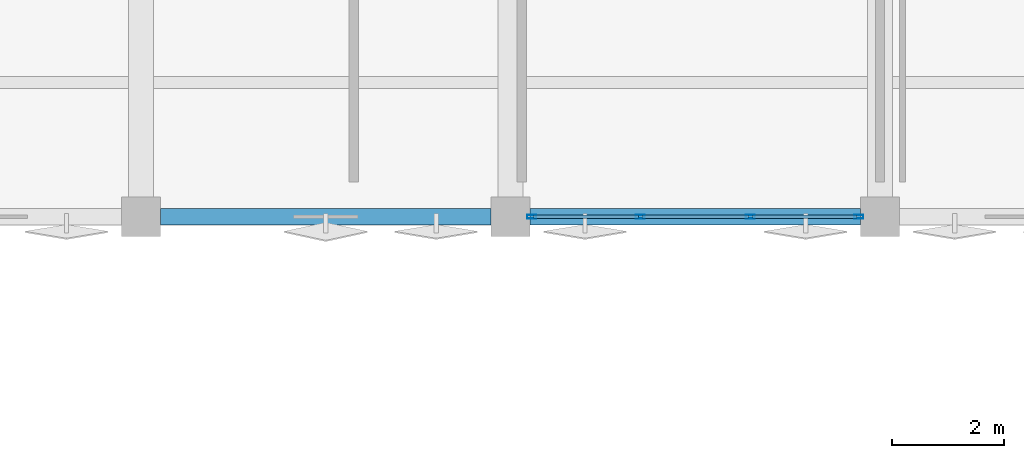
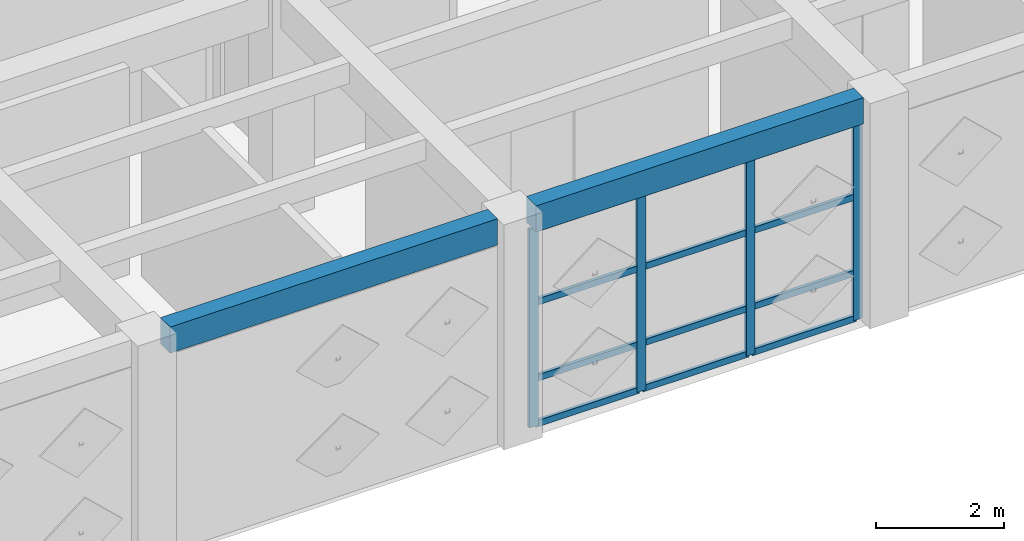
# One storey, part 45 of 80: 16 members, 2 beams, 1 element without a shape of its own.
"""IFC4 building model written with IfcOpenShell, lengths in metres."""

from ifc_helpers import new_model, si_unit, direction, frame, origin, origin_2d, place, context, subcontext, project, spatial, rectangle, hollow_rectangle, extrude, material, layer, layer_set, material_profile, profile_set, type_object, element, aggregate, save


model = new_model("IFC4")

# Units and contexts
model_context = context("Model", 3, precision=1e-05, world=origin(), true_north=direction((0.0, 1.0)))
body_context = subcontext(model_context, "Body", "Model", "MODEL_VIEW")
ifc_project = project(units=[si_unit("LENGTHUNIT", "METRE"), si_unit("AREAUNIT", "SQUARE_METRE"), si_unit("VOLUMEUNIT", "CUBIC_METRE"), si_unit("PLANEANGLEUNIT", "RADIAN"), si_unit("MASSUNIT", "GRAM", prefix="KILO")], contexts=[model_context])

# Site, building, storey
site_placement = place(None, origin())
site = spatial("IfcSite", under=ifc_project, at=site_placement, CompositionType="ELEMENT")
building_placement = place(site_placement, origin())
building = spatial("IfcBuilding", under=site, at=building_placement, Name="Kharisveld Research Institute", CompositionType="ELEMENT")
storey_placement = place(building_placement, frame((0.0, 0.0, 5.10009765625)))
storey = spatial("IfcBuildingStorey", under=building, at=storey_placement, Name="L01", CompositionType="ELEMENT", Elevation=5.10009765625)

# Curtain wall, members
ifc_material_1 = material(Name="Thermally Broken Aluminium Curtain Wall", Category="aluminium")
ifc_layer = layer(ifc_material_1, 0.159912109375)
ifc_layer_set = layer_set([ifc_layer], Name="CW_SYS_05")
curtain_wall_type = type_object("IfcCurtainWallType", Name="CW_SYS_05", PredefinedType="NOTDEFINED", material=ifc_layer_set)
curtain_wall_placement = place(storey_placement, origin())
curtain_wall = element("IfcCurtainWall", 1, at=curtain_wall_placement, inside=storey, type_object=curtain_wall_type, Name="CW:V2:L01:S4", PredefinedType="NOTDEFINED")
ifc_material_2 = material(Name="Anodised Aluminium AW-6063-T6", Category="aluminium")
ifc_material_profile_1 = material_profile(ifc_material_2, hollow_rectangle(XDim=0.06494140625, YDim=0.159912109375, WallThickness=0.00390625, at=origin_2d()))
ifc_profile_set_1 = profile_set([ifc_material_profile_1], Name="Anodised Aluminium AW-6063-T6")
member_type_1 = type_object("IfcMemberType", Name="CW_MUL_160", PredefinedType="MULLION", material=ifc_profile_set_1)
member_1_placement = place(storey_placement, frame((140.62255859375, 39.199951171875, 0.0), z_axis=(0.0, 0.0, 1.0), x_axis=(0.0, -1.0, 0.0)))
member_1 = element("IfcMember", 2, at=member_1_placement, type_object=member_type_1, Name="CW-05 mullion 1", PredefinedType="MULLION", context=body_context, shape_type="SweptSolid", body=[
    extrude(hollow_rectangle(XDim=0.06494140625, YDim=0.159912109375, WallThickness=0.00390625, at=origin_2d()), origin(), (0.0, 0.0, 1.0), 3.77978515625),
])
member_2_placement = place(storey_placement, frame((138.68505859375, 39.199951171875, 0.0), z_axis=(0.0, 0.0, 1.0), x_axis=(0.0, -1.0, 0.0)))
member_2 = element("IfcMember", 3, at=member_2_placement, type_object=member_type_1, Name="CW-05 mullion 2", PredefinedType="MULLION", context=body_context, shape_type="SweptSolid", body=[
    extrude(hollow_rectangle(XDim=0.06494140625, YDim=0.159912109375, WallThickness=0.00390625, at=origin_2d()), origin(), (0.0, 0.0, 1.0), 3.77978515625),
])
member_3_placement = place(storey_placement, frame((136.715087890625, 39.199951171875, 0.0), z_axis=(0.0, 0.0, 1.0), x_axis=(0.0, -1.0, 0.0)))
member_3 = element("IfcMember", 4, at=member_3_placement, type_object=member_type_1, Name="CW-05 mullion 3", PredefinedType="MULLION", context=body_context, shape_type="SweptSolid", body=[
    extrude(hollow_rectangle(XDim=0.06494140625, YDim=0.159912109375, WallThickness=0.00390625, at=origin_2d()), origin(), (0.0, 0.0, 1.0), 3.77978515625),
])
member_4_placement = place(storey_placement, frame((134.777587890625, 39.199951171875, 0.0), z_axis=(0.0, 0.0, 1.0), x_axis=(0.0, -1.0, 0.0)))
member_4 = element("IfcMember", 5, at=member_4_placement, type_object=member_type_1, Name="CW-05 mullion 4", PredefinedType="MULLION", context=body_context, shape_type="SweptSolid", body=[
    extrude(hollow_rectangle(XDim=0.06494140625, YDim=0.159912109375, WallThickness=0.00390625, at=origin_2d()), origin(), (0.0, 0.0, 1.0), 3.77978515625),
])
ifc_material_3 = material(Name="Anodised Aluminium AW-6063-T6", Category="aluminium")
ifc_material_profile_2 = material_profile(ifc_material_3, hollow_rectangle(XDim=0.06005859375, YDim=0.1201171875, WallThickness=0.00390625, at=origin_2d()))
ifc_profile_set_2 = profile_set([ifc_material_profile_2], Name="Anodised Aluminium AW-6063-T6")
member_type_2 = type_object("IfcMemberType", Name="CW_TRN_120", PredefinedType="USERDEFINED", material=ifc_profile_set_2)
member_5_placement = place(storey_placement, frame((140.590087890625, 39.199951171875, 0.02978515625), z_axis=(-1.0, 0.0, 0.0), x_axis=(0.0, -1.0, 0.0)))
member_5 = element("IfcMember", 6, at=member_5_placement, type_object=member_type_2, Name="CW-05 transom 1.1", ObjectType="TRANSOM", PredefinedType="USERDEFINED", context=body_context, shape_type="SweptSolid", body=[
    extrude(hollow_rectangle(XDim=0.06005859375, YDim=0.1201171875, WallThickness=0.00390625, at=origin_2d()), origin(), (0.0, 0.0, 1.0), 1.87255859375),
])
member_6_placement = place(storey_placement, frame((140.590087890625, 39.199951171875, 0.89990234375), z_axis=(-1.0, 0.0, 0.0), x_axis=(0.0, -1.0, 0.0)))
member_6 = element("IfcMember", 7, at=member_6_placement, type_object=member_type_2, Name="CW-05 transom 1.2", ObjectType="TRANSOM", PredefinedType="USERDEFINED", context=body_context, shape_type="SweptSolid", body=[
    extrude(hollow_rectangle(XDim=0.06005859375, YDim=0.1201171875, WallThickness=0.00390625, at=origin_2d()), origin(), (0.0, 0.0, 1.0), 1.87255859375),
])
member_7_placement = place(storey_placement, frame((140.590087890625, 39.199951171875, 2.349853515625), z_axis=(-1.0, 0.0, 0.0), x_axis=(0.0, -1.0, 0.0)))
member_7 = element("IfcMember", 8, at=member_7_placement, type_object=member_type_2, Name="CW-05 transom 1.3", ObjectType="TRANSOM", PredefinedType="USERDEFINED", context=body_context, shape_type="SweptSolid", body=[
    extrude(hollow_rectangle(XDim=0.06005859375, YDim=0.1201171875, WallThickness=0.00390625, at=origin_2d()), origin(), (0.0, 0.0, 1.0), 1.87255859375),
])
member_8_placement = place(storey_placement, frame((140.590087890625, 39.199951171875, 3.75), z_axis=(-1.0, 0.0, 0.0), x_axis=(0.0, -1.0, 0.0)))
member_8 = element("IfcMember", 9, at=member_8_placement, type_object=member_type_2, Name="CW-05 transom 1.4", ObjectType="TRANSOM", PredefinedType="USERDEFINED", context=body_context, shape_type="SweptSolid", body=[
    extrude(hollow_rectangle(XDim=0.06005859375, YDim=0.1201171875, WallThickness=0.00390625, at=origin_2d()), origin(), (0.0, 0.0, 1.0), 1.87255859375),
])
member_9_placement = place(storey_placement, frame((138.652587890625, 39.199951171875, 0.02978515625), z_axis=(-1.0, 0.0, 0.0), x_axis=(0.0, -1.0, 0.0)))
member_9 = element("IfcMember", 10, at=member_9_placement, type_object=member_type_2, Name="CW-05 transom 2.1", ObjectType="TRANSOM", PredefinedType="USERDEFINED", context=body_context, shape_type="SweptSolid", body=[
    extrude(hollow_rectangle(XDim=0.06005859375, YDim=0.1201171875, WallThickness=0.00390625, at=origin_2d()), origin(), (0.0, 0.0, 1.0), 1.905029296875),
])
member_10_placement = place(storey_placement, frame((138.652587890625, 39.199951171875, 0.89990234375), z_axis=(-1.0, 0.0, 0.0), x_axis=(0.0, -1.0, 0.0)))
member_10 = element("IfcMember", 11, at=member_10_placement, type_object=member_type_2, Name="CW-05 transom 2.2", ObjectType="TRANSOM", PredefinedType="USERDEFINED", context=body_context, shape_type="SweptSolid", body=[
    extrude(hollow_rectangle(XDim=0.06005859375, YDim=0.1201171875, WallThickness=0.00390625, at=origin_2d()), origin(), (0.0, 0.0, 1.0), 1.905029296875),
])
member_11_placement = place(storey_placement, frame((138.652587890625, 39.199951171875, 2.349853515625), z_axis=(-1.0, 0.0, 0.0), x_axis=(0.0, -1.0, 0.0)))
member_11 = element("IfcMember", 12, at=member_11_placement, type_object=member_type_2, Name="CW-05 transom 2.3", ObjectType="TRANSOM", PredefinedType="USERDEFINED", context=body_context, shape_type="SweptSolid", body=[
    extrude(hollow_rectangle(XDim=0.06005859375, YDim=0.1201171875, WallThickness=0.00390625, at=origin_2d()), origin(), (0.0, 0.0, 1.0), 1.905029296875),
])
member_12_placement = place(storey_placement, frame((138.652587890625, 39.199951171875, 3.75), z_axis=(-1.0, 0.0, 0.0), x_axis=(0.0, -1.0, 0.0)))
member_12 = element("IfcMember", 13, at=member_12_placement, type_object=member_type_2, Name="CW-05 transom 2.4", ObjectType="TRANSOM", PredefinedType="USERDEFINED", context=body_context, shape_type="SweptSolid", body=[
    extrude(hollow_rectangle(XDim=0.06005859375, YDim=0.1201171875, WallThickness=0.00390625, at=origin_2d()), origin(), (0.0, 0.0, 1.0), 1.905029296875),
])
member_13_placement = place(storey_placement, frame((136.6826171875, 39.199951171875, 0.02978515625), z_axis=(-1.0, 0.0, 0.0), x_axis=(0.0, -1.0, 0.0)))
member_13 = element("IfcMember", 14, at=member_13_placement, type_object=member_type_2, Name="CW-05 transom 3.1", ObjectType="TRANSOM", PredefinedType="USERDEFINED", context=body_context, shape_type="SweptSolid", body=[
    extrude(hollow_rectangle(XDim=0.06005859375, YDim=0.1201171875, WallThickness=0.00390625, at=origin_2d()), origin(), (0.0, 0.0, 1.0), 1.87255859375),
])
member_14_placement = place(storey_placement, frame((136.6826171875, 39.199951171875, 0.89990234375), z_axis=(-1.0, 0.0, 0.0), x_axis=(0.0, -1.0, 0.0)))
member_14 = element("IfcMember", 15, at=member_14_placement, type_object=member_type_2, Name="CW-05 transom 3.2", ObjectType="TRANSOM", PredefinedType="USERDEFINED", context=body_context, shape_type="SweptSolid", body=[
    extrude(hollow_rectangle(XDim=0.06005859375, YDim=0.1201171875, WallThickness=0.00390625, at=origin_2d()), origin(), (0.0, 0.0, 1.0), 1.87255859375),
])
member_15_placement = place(storey_placement, frame((136.6826171875, 39.199951171875, 2.349853515625), z_axis=(-1.0, 0.0, 0.0), x_axis=(0.0, -1.0, 0.0)))
member_15 = element("IfcMember", 16, at=member_15_placement, type_object=member_type_2, Name="CW-05 transom 3.3", ObjectType="TRANSOM", PredefinedType="USERDEFINED", context=body_context, shape_type="SweptSolid", body=[
    extrude(hollow_rectangle(XDim=0.06005859375, YDim=0.1201171875, WallThickness=0.00390625, at=origin_2d()), origin(), (0.0, 0.0, 1.0), 1.87255859375),
])
member_16_placement = place(storey_placement, frame((136.6826171875, 39.199951171875, 3.75), z_axis=(-1.0, 0.0, 0.0), x_axis=(0.0, -1.0, 0.0)))
member_16 = element("IfcMember", 17, at=member_16_placement, type_object=member_type_2, Name="CW-05 transom 3.4", ObjectType="TRANSOM", PredefinedType="USERDEFINED", context=body_context, shape_type="SweptSolid", body=[
    extrude(hollow_rectangle(XDim=0.06005859375, YDim=0.1201171875, WallThickness=0.00390625, at=origin_2d()), origin(), (0.0, 0.0, 1.0), 1.87255859375),
])
aggregate(curtain_wall, [member_1, member_2, member_3, member_4, member_5, member_6, member_7, member_8, member_9, member_10, member_11, member_12, member_13, member_14, member_15, member_16])

# Beams
ifc_material_4 = material(Name="Concrete C40/50", Category="concrete")
ifc_material_profile_3 = material_profile(ifc_material_4, rectangle(XDim=0.300048828125, YDim=0.5, at=origin_2d()))
ifc_profile_set_3 = profile_set([ifc_material_profile_3], Name="Concrete C40/50")
beam_type = type_object("IfcBeamType", Name="SP_RC_300x500", PredefinedType="SPANDREL", material=ifc_profile_set_3)
beam_1_placement = place(storey_placement, frame((128.14990234375, 39.199951171875, 4.039794921875), z_axis=(1.0, 0.0, 0.0), x_axis=(0.0, 1.0, 0.0)))
element("IfcBeam", 18, at=beam_1_placement, inside=storey, type_object=beam_type, Name="BM:V2:L01:U2_0", PredefinedType="SPANDREL", context=body_context, shape_type="SweptSolid", body=[
    extrude(rectangle(XDim=0.300048828125, YDim=0.5, at=origin_2d()), origin(), (0.0, 0.0, 1.0), 5.900146484375),
])
beam_2_placement = place(storey_placement, frame((134.75, 39.199951171875, 4.039794921875), z_axis=(1.0, 0.0, 0.0), x_axis=(0.0, 1.0, 0.0)))
element("IfcBeam", 19, at=beam_2_placement, inside=storey, type_object=beam_type, Name="BM:V2:L01:U3_0", PredefinedType="SPANDREL", context=body_context, shape_type="SweptSolid", body=[
    extrude(rectangle(XDim=0.300048828125, YDim=0.5, at=origin_2d()), origin(), (0.0, 0.0, 1.0), 5.89990234375),
])

save(model, "model.ifc")
